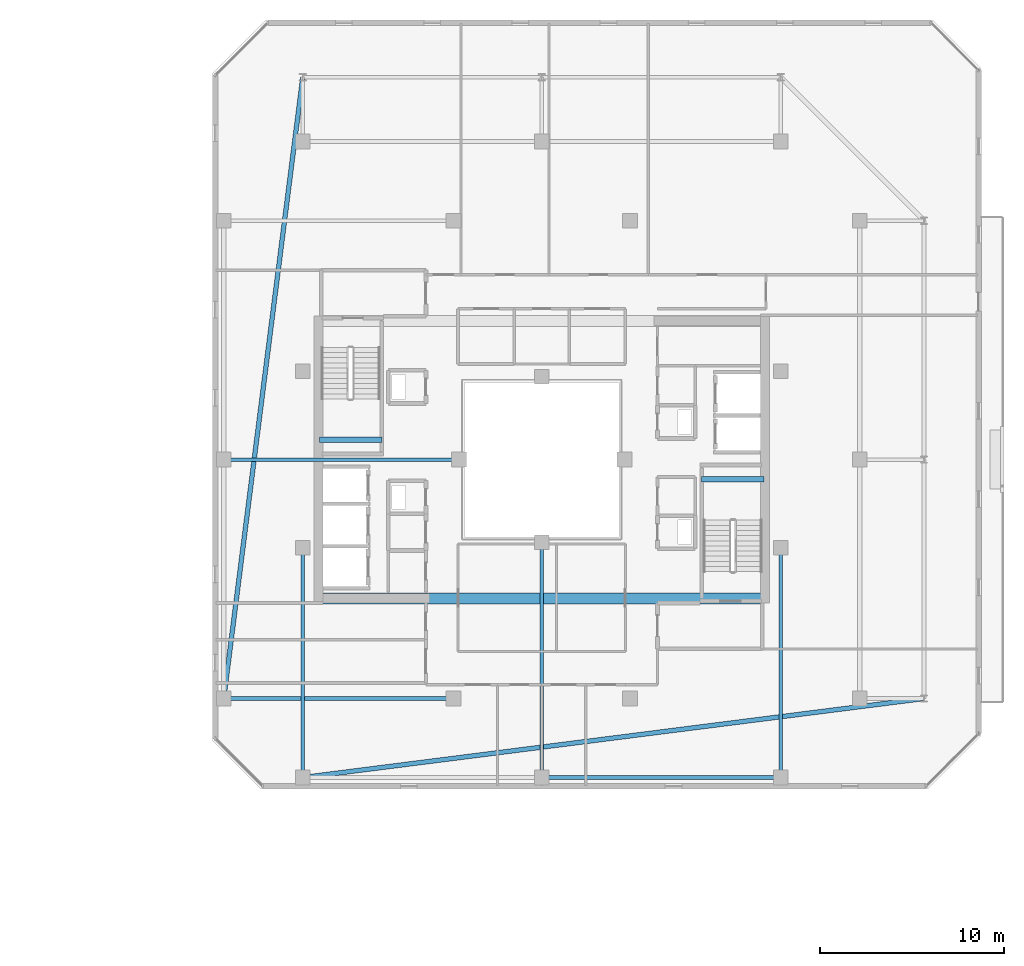
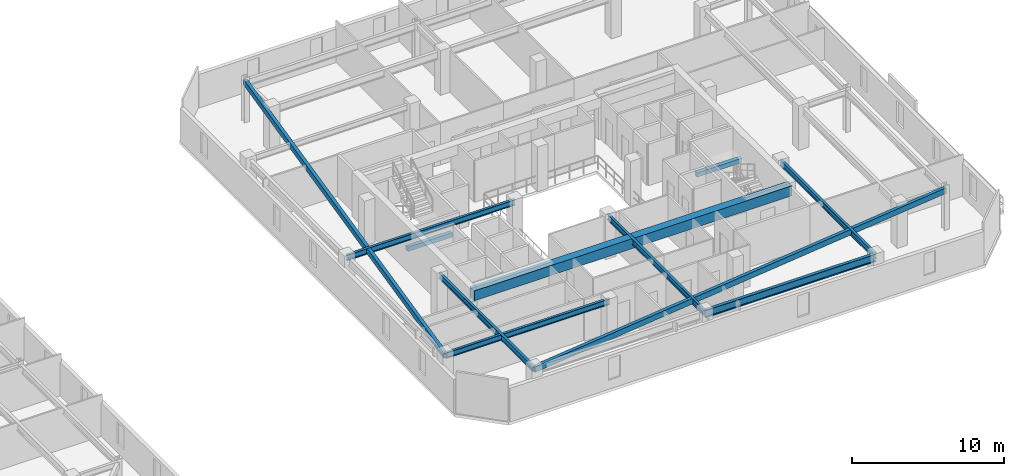
# One storey, part 15 of 35: 11 beams.
"""IFC4 building model written with IfcOpenShell, lengths in metres."""

from ifc_helpers import new_model, si_unit, direction, frame, origin, origin_2d, place, context, subcontext, project, spatial, rectangle, hollow_rectangle, i_section, extrude, material, material_profile, profile_set, type_object, element, save


model = new_model("IFC4")

# Units and contexts
model_context = context("Model", 3, precision=1e-05, world=origin(), true_north=direction((0.0, 1.0)))
body_context = subcontext(model_context, "Body", "Model", "MODEL_VIEW")
ifc_project = project(units=[si_unit("LENGTHUNIT", "METRE"), si_unit("AREAUNIT", "SQUARE_METRE"), si_unit("VOLUMEUNIT", "CUBIC_METRE"), si_unit("PLANEANGLEUNIT", "RADIAN"), si_unit("MASSUNIT", "GRAM", prefix="KILO")], contexts=[model_context])

# Site, building, storey
site_placement = place(None, origin())
site = spatial("IfcSite", under=ifc_project, at=site_placement, CompositionType="ELEMENT")
building_placement = place(site_placement, origin())
building = spatial("IfcBuilding", under=site, at=building_placement, Name="Thornwick Lancets Civic Towers", CompositionType="ELEMENT")
storey_placement = place(building_placement, frame((0.0, 0.0, 272.699951171875)))
storey = spatial("IfcBuildingStorey", under=building, at=storey_placement, Name="L73", CompositionType="ELEMENT", Elevation=272.699951171875)

# Beams
ifc_material_1 = material(Name="Concrete C60/75", Category="concrete")
ifc_material_profile_1 = material_profile(ifc_material_1, rectangle(XDim=0.60009765625, YDim=0.800048828125, at=origin_2d()), Name="RC 600x800")
ifc_profile_set_1 = profile_set([ifc_material_profile_1], Name="Concrete C60/75")
beam_type_1 = type_object("IfcBeamType", Name="BM_COUP_RC800", PredefinedType="BEAM", material=ifc_profile_set_1)
beam_1_placement = place(storey_placement, frame((76.39990234375, 19.449951171875, 2.9599609375), z_axis=(1.0, 0.0, 0.0), x_axis=(0.0, 1.0, 0.0)))
element("IfcBeam", 1, at=beam_1_placement, inside=storey, type_object=beam_type_1, Name="CB-L73-B2", PredefinedType="BEAM", context=body_context, shape_type="SweptSolid", body=[
    extrude(rectangle(XDim=0.60009765625, YDim=0.800048828125, at=origin_2d()), origin(), (0.0, 0.0, 1.0), 24.2001953125),
])
ifc_material_2 = material(Name="Steel S355JR", Category="steel")
ifc_material_profile_2 = material_profile(ifc_material_2, i_section(OverallWidth=0.230224609375, OverallDepth=0.6171875, WebThickness=0.01318359375, FlangeThickness=0.022216796875, FilletRadius=0.0126953125, at=origin_2d()), Name="UKB 610x229x140")
ifc_profile_set_2 = profile_set([ifc_material_profile_2], Name="Steel S355JR")
beam_type_2 = type_object("IfcBeamType", Name="BM_GIRD_610_140", PredefinedType="BEAM", material=ifc_profile_set_2)
beam_2_placement = place(storey_placement, frame((101.5, 9.699951171875, 3.051513671875), z_axis=(-1.0, 0.0, 0.0), x_axis=(0.0, -1.0, 0.0)))
element("IfcBeam", 2, at=beam_2_placement, inside=storey, type_object=beam_type_2, Name="BM-SPINE-L73-B-9-10", PredefinedType="BEAM", context=body_context, shape_type="SweptSolid", body=[
    extrude(i_section(OverallWidth=0.230224609375, OverallDepth=0.6171875, WebThickness=0.01318359375, FlangeThickness=0.022216796875, FilletRadius=0.0126953125, at=origin_2d()), origin(), (0.0, 0.0, 1.0), 13.0),
])
ifc_material_profile_3 = material_profile(ifc_material_2, i_section(OverallWidth=0.19189453125, OverallDepth=0.46337890625, WebThickness=0.010498046875, FlangeThickness=0.017578125, FilletRadius=0.01025390625, at=origin_2d()), Name="UKB 457x191x89")
ifc_profile_set_3 = profile_set([ifc_material_profile_3], Name="Steel S355JR")
beam_type_3 = type_object("IfcBeamType", Name="BM_JOIST_457_89", PredefinedType="JOIST", material=ifc_profile_set_3)
beam_3_placement = place(storey_placement, frame((83.699951171875, 14.0, 3.12841796875), z_axis=(-1.0, 0.0, 0.0), x_axis=(0.0, -1.0, 0.0)))
element("IfcBeam", 3, at=beam_3_placement, inside=storey, type_object=beam_type_3, Name="BM-RADIN-L73-B07", PredefinedType="JOIST", context=body_context, shape_type="SweptSolid", body=[
    extrude(i_section(OverallWidth=0.19189453125, OverallDepth=0.46337890625, WebThickness=0.010498046875, FlangeThickness=0.017578125, FilletRadius=0.01025390625, at=origin_2d()), origin(), (0.0, 0.0, 1.0), 12.5),
])
beam_4_placement = place(storey_placement, frame((84.0, 27.0, 3.12841796875), z_axis=(-1.0, 0.0, 0.0), x_axis=(0.0, -1.0, 0.0)))
element("IfcBeam", 4, at=beam_4_placement, inside=storey, type_object=beam_type_3, Name="BM-RADIN-L73-B08", PredefinedType="JOIST", context=body_context, shape_type="SweptSolid", body=[
    extrude(i_section(OverallWidth=0.19189453125, OverallDepth=0.46337890625, WebThickness=0.010498046875, FlangeThickness=0.017578125, FilletRadius=0.01025390625, at=origin_2d()), origin(), (0.0, 0.0, 1.0), 12.800048828125),
])
beam_5_placement = place(storey_placement, frame((101.5, 22.199951171875, 3.12841796875), z_axis=(0.0, -1.0, 0.0), x_axis=(1.0, 0.0, 0.0)))
element("IfcBeam", 5, at=beam_5_placement, inside=storey, type_object=beam_type_3, Name="BM-RADIN-L73-B10", PredefinedType="JOIST", context=body_context, shape_type="SweptSolid", body=[
    extrude(i_section(OverallWidth=0.19189453125, OverallDepth=0.46337890625, WebThickness=0.010498046875, FlangeThickness=0.017578125, FilletRadius=0.01025390625, at=origin_2d()), origin(), (0.0, 0.0, 1.0), 12.5),
])
beam_6_placement = place(storey_placement, frame((88.5, 22.5, 3.12841796875), z_axis=(0.0, -1.0, 0.0), x_axis=(1.0, 0.0, 0.0)))
element("IfcBeam", 6, at=beam_6_placement, inside=storey, type_object=beam_type_3, Name="BM-RADIN-L73-B11", PredefinedType="JOIST", context=body_context, shape_type="SweptSolid", body=[
    extrude(i_section(OverallWidth=0.19189453125, OverallDepth=0.46337890625, WebThickness=0.010498046875, FlangeThickness=0.017578125, FilletRadius=0.01025390625, at=origin_2d()), origin(), (0.0, 0.0, 1.0), 12.800048828125),
])
beam_7_placement = place(storey_placement, frame((75.5, 22.199951171875, 3.12841796875), z_axis=(0.0, -1.0, 0.0), x_axis=(1.0, 0.0, 0.0)))
element("IfcBeam", 7, at=beam_7_placement, inside=storey, type_object=beam_type_3, Name="BM-RADIN-L73-B12", PredefinedType="JOIST", context=body_context, shape_type="SweptSolid", body=[
    extrude(i_section(OverallWidth=0.19189453125, OverallDepth=0.46337890625, WebThickness=0.010498046875, FlangeThickness=0.017578125, FilletRadius=0.01025390625, at=origin_2d()), origin(), (0.0, 0.0, 1.0), 12.5),
])
ifc_material_profile_4 = material_profile(ifc_material_2, hollow_rectangle(XDim=0.25, YDim=0.449951171875, WallThickness=0.01611328125, at=origin_2d()), Name="RHS 450x250x16")
ifc_profile_set_4 = profile_set([ifc_material_profile_4], Name="Steel S355JR")
beam_type_4 = type_object("IfcBeamType", Name="BM_RING_RHS450", PredefinedType="BEAM", material=ifc_profile_set_4)
for number, where, z_axis, x_axis, name in (
    (8, (75.5, 47.800048828125, 3.135009765625), (-0.126202998662, -0.992004437051, 0.0), (0.992004437051, -0.126202998662, 0.0), "BM-CHAMF-L73-B-C1"),
    (9, (75.5, 9.699951171875, 3.135009765625), (0.992004437051, 0.126202998662, 0.0), (-0.126202998662, 0.992004437051, 0.0), "BM-CHAMF-L73-B-C3"),
):
    element("IfcBeam", number, at=place(storey_placement, frame(where, z_axis=z_axis, x_axis=x_axis)), inside=storey, type_object=beam_type_4, Name=name, PredefinedType="BEAM", context=body_context, shape_type="SweptSolid", body=[
        extrude(hollow_rectangle(XDim=0.25, YDim=0.449951171875, WallThickness=0.01611328125, at=origin_2d()), origin(), (0.0, 0.0, 1.0), 34.072509765625),
    ])
ifc_material_3 = material(Name="Concrete C40/50", Category="concrete")
ifc_material_profile_5 = material_profile(ifc_material_3, rectangle(XDim=0.300048828125, YDim=0.35009765625, at=origin_2d()), Name="RC 300x350")
ifc_profile_set_5 = profile_set([ifc_material_profile_5], Name="Concrete C40/50")
beam_type_5 = type_object("IfcBeamType", Name="BM_STAIR_LDG", PredefinedType="BEAM", material=ifc_profile_set_5)
for number, where, z_axis, x_axis, name in (
    (10, (100.60009765625, 25.93505859375, 1.3779296875), (-1.0, 0.0, 0.0), (0.0, -1.0, 0.0), "L73 ST-B1 Landing Support Beam 1"),
    (11, (76.39990234375, 28.06494140625, 1.3779296875), (1.0, 0.0, 0.0), (0.0, 1.0, 0.0), "L73 ST-B2 Landing Support Beam 1"),
):
    element("IfcBeam", number, at=place(storey_placement, frame(where, z_axis=z_axis, x_axis=x_axis)), inside=storey, type_object=beam_type_5, Name=name, PredefinedType="BEAM", context=body_context, shape_type="SweptSolid", body=[
        extrude(rectangle(XDim=0.300048828125, YDim=0.35009765625, at=origin_2d()), origin(), (0.0, 0.0, 1.0), 3.400146484375),
    ])

save(model, "model.ifc")
